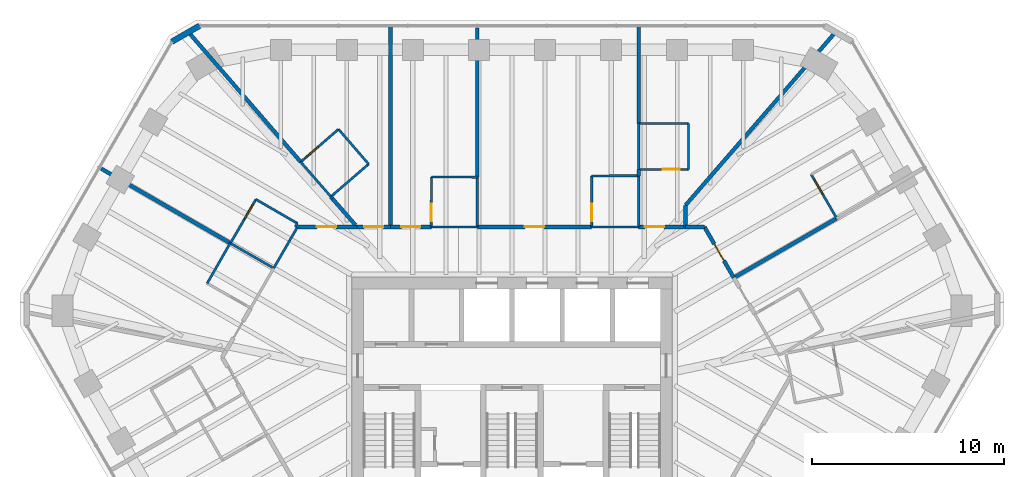
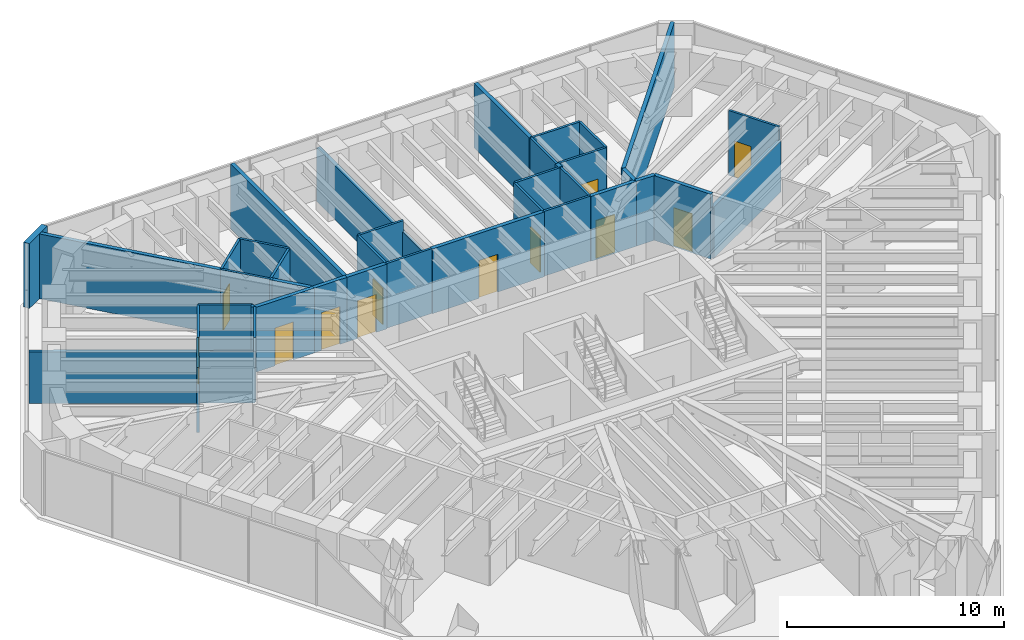
# One storey, part 12 of 14: 42 walls, 12 doors, 12 openings.
"""IFC4 building model written with IfcOpenShell, lengths in metres."""

from ifc_helpers import new_model, si_unit, direction, frame, frame_2d, origin, place, context, subcontext, project, spatial, rectangle, extrude, material, layer, layer_set, type_object, element, fill, save


model = new_model("IFC4")

# Units and contexts
model_context = context("Model", 3, precision=1e-05, world=origin(), true_north=direction((0.0, 1.0)))
body_context = subcontext(model_context, "Body", "Model", "MODEL_VIEW")
ifc_project = project(units=[si_unit("LENGTHUNIT", "METRE"), si_unit("AREAUNIT", "SQUARE_METRE"), si_unit("VOLUMEUNIT", "CUBIC_METRE"), si_unit("PLANEANGLEUNIT", "RADIAN"), si_unit("MASSUNIT", "GRAM", prefix="KILO")], contexts=[model_context])

# Site, building, storey
site_placement = place(None, origin())
site = spatial("IfcSite", under=ifc_project, at=site_placement, CompositionType="ELEMENT")
building_placement = place(site_placement, origin())
building = spatial("IfcBuilding", under=site, at=building_placement, Name="Sandreach Pilgrim Tower", CompositionType="ELEMENT")
storey_placement = place(building_placement, frame((0.0, 0.0, 264.60009765625)))
storey = spatial("IfcBuildingStorey", under=building, at=storey_placement, Name="L66", CompositionType="ELEMENT", Elevation=264.60009765625)

# Walls
ifc_material_1 = material(Name="Moisture-resistant gypsum board on steel studs", Category="steel")
ifc_layer_1 = layer(ifc_material_1, 0.1201171875)
ifc_layer_set_1 = layer_set([ifc_layer_1], Name="Bathroom partition 120")
wall_type_1 = type_object("IfcWallType", Name="Bathroom partition 120", PredefinedType="PARTITIONING", material=ifc_layer_set_1)
wall_1_placement = place(storey_placement, frame((-14.699951171875, 8.489990234375, 0.0), z_axis=(0.0, 0.0, 1.0), x_axis=(-0.496106327528, -0.868261776072, 0.0)))
element("IfcWall", 1, at=wall_1_placement, inside=storey, type_object=wall_type_1, Name="Bathroom partition L66-018", PredefinedType="PARTITIONING", context=body_context, shape_type="SweptSolid", body=[
    extrude(rectangle(XDim=2.418701171875, YDim=0.1201171875, at=frame_2d((1.20947265625, 0.0))), origin(), (0.0, 0.0, 1.0), 3.639892578125),
])
wall_2_placement = place(storey_placement, frame((-14.68994140625, 8.47998046875, 0.0), z_axis=(0.0, 0.0, 1.0), x_axis=(0.866816256489, -0.498627694264, 0.0)))
element("IfcWall", 2, at=wall_2_placement, inside=storey, type_object=wall_type_1, Name="Bathroom partition L66-019", PredefinedType="PARTITIONING", context=body_context, shape_type="SweptSolid", body=[
    extrude(rectangle(XDim=2.607177734375, YDim=0.1201171875, at=frame_2d((1.3037109375, 0.0))), origin(), (0.0, 0.0, 1.0), 2.8779296875),
])

# Wall, opening, door
wall_3_placement = place(storey_placement, frame((-13.360107421875, 10.77001953125, 0.0), z_axis=(0.0, 0.0, 1.0), x_axis=(-0.502173326652, -0.864766991738, 0.0)))
wall_3 = element("IfcWall", 3, at=wall_3_placement, inside=storey, type_object=wall_type_1, Name="Bathroom partition L66-022", PredefinedType="PARTITIONING", context=body_context, shape_type="SweptSolid", body=[
    extrude(rectangle(XDim=2.648193359375, YDim=0.1201171875, at=frame_2d((1.32421875, 0.0))), origin(), (0.0, 0.0, 1.0), 3.639892578125),
])
opening_1_placement = place(wall_3_placement, frame((0.300048828125, 0.0, 0.0)))
opening_1 = element("IfcOpeningElement", 4, at=opening_1_placement, cuts=wall_3, Name="Opening D09-17B", PredefinedType="OPENING", context=body_context, shape_type="SweptSolid", body=[
    extrude(rectangle(XDim=0.89990234375, YDim=2.030029296875, at=frame_2d((0.449951171875, 1.01513671875))), frame((0.0, 0.06005859375, 0.0), z_axis=(0.0, -1.0, 0.0), x_axis=(1.0, 0.0, 0.0)), (0.0, 0.0, 1.0), 0.1201171875),
])
ifc_material_2 = material(Name="Timber door, steel frame", Category="steel")
door_type_1 = type_object("IfcDoorType", Name="Bathroom door", OperationType="SINGLE_SWING_LEFT", PredefinedType="DOOR", material=ifc_material_2)
door_1_placement = place(opening_1_placement, origin())
door_1 = element("IfcDoor", 5, at=door_1_placement, inside=storey, type_object=door_type_1, Name="Door 6617B", OperationType="SINGLE_SWING_LEFT", OverallHeight=2.030029296875, OverallWidth=0.89990234375, PredefinedType="DOOR", context=body_context, shape_type="SweptSolid", body=[
    extrude(rectangle(XDim=0.89990234375, YDim=2.030029296875, at=frame_2d((0.449951171875, 1.01513671875))), frame((0.0, 0.02490234375, 0.0), z_axis=(0.0, -1.0, 0.0), x_axis=(1.0, 0.0, 0.0)), (0.0, 0.0, 1.0), 0.050048828125),
])
fill(opening_1, door_1)

# Walls
wall_4_placement = place(storey_placement, frame((-12.429931640625, 7.179931640625, 0.0), z_axis=(0.0, 0.0, 1.0), x_axis=(0.499577688184, 0.866269088372, 0.0)))
element("IfcWall", 6, at=wall_4_placement, inside=storey, type_object=wall_type_1, Name="Bathroom partition L66-024", PredefinedType="PARTITIONING", context=body_context, shape_type="SweptSolid", body=[
    extrude(rectangle(XDim=2.482177734375, YDim=0.1201171875, at=frame_2d((1.2412109375, 0.0))), origin(), (0.0, 0.0, 1.0), 3.639892578125),
])
wall_5_placement = place(storey_placement, frame((-11.31005859375, 9.330078125, 0.0), z_axis=(0.0, 0.0, 1.0), x_axis=(0.501518373175, 0.865146994081, 0.0)))
element("IfcWall", 7, at=wall_5_placement, inside=storey, type_object=wall_type_1, Name="Bathroom partition L66-027", PredefinedType="PARTITIONING", context=body_context, shape_type="SweptSolid", body=[
    extrude(rectangle(XDim=0.219482421875, YDim=0.1201171875, at=frame_2d((0.10986328125, 0.0))), origin(), (0.0, 0.0, 1.0), 3.639892578125),
])
wall_6_placement = place(storey_placement, frame((-11.199951171875, 9.52001953125, 0.0), z_axis=(0.0, 0.0, 1.0), x_axis=(-0.865533423938, 0.500851167559, 0.0)))
element("IfcWall", 8, at=wall_6_placement, inside=storey, type_object=wall_type_1, Name="Bathroom partition L66-028", PredefinedType="PARTITIONING", context=body_context, shape_type="SweptSolid", body=[
    extrude(rectangle(XDim=2.495849609375, YDim=0.1201171875, at=frame_2d((1.248046875, 0.0))), origin(), (0.0, 0.0, 1.0), 3.639892578125),
])
wall_7_placement = place(storey_placement, frame((-11.02001953125, 12.719970703125, 0.0), z_axis=(0.0, 0.0, 1.0), x_axis=(0.655252439976, -0.755409981338, 0.0)))
element("IfcWall", 9, at=wall_7_placement, inside=storey, type_object=wall_type_1, Name="Bathroom partition L66-029", PredefinedType="PARTITIONING", context=body_context, shape_type="SweptSolid", body=[
    extrude(rectangle(XDim=2.396240234375, YDim=0.1201171875, at=frame_2d((1.1982421875, 0.0))), origin(), (0.0, 0.0, 1.0), 3.639892578125),
])
wall_8_placement = place(storey_placement, frame((-9.449951171875, 10.909912109375, 0.0), z_axis=(0.0, 0.0, 1.0), x_axis=(0.757040252764, 0.65336823897, 0.0)))
element("IfcWall", 10, at=wall_8_placement, inside=storey, type_object=wall_type_1, Name="Bathroom partition L66-032", PredefinedType="PARTITIONING", context=body_context, shape_type="SweptSolid", body=[
    extrude(rectangle(XDim=2.602294921875, YDim=0.1201171875, at=frame_2d((1.30126953125, 0.0))), origin(), (0.0, 0.0, 1.0), 3.639892578125),
])

# Wall, opening, door
wall_9_placement = place(storey_placement, frame((-9.050048828125, 14.429931640625, 0.0), z_axis=(0.0, 0.0, 1.0), x_axis=(-0.755185511235, -0.655511131576, 0.0)))
wall_9 = element("IfcWall", 11, at=wall_9_placement, inside=storey, type_object=wall_type_1, Name="Bathroom partition L66-035", PredefinedType="PARTITIONING", context=body_context, shape_type="SweptSolid", body=[
    extrude(rectangle(XDim=2.608642578125, YDim=0.1201171875, at=frame_2d((1.30419921875, 0.0))), origin(), (0.0, 0.0, 1.0), 3.639892578125),
])
opening_2_placement = place(wall_9_placement, frame((1.40869140625, 0.0, 0.0)))
opening_2 = element("IfcOpeningElement", 12, at=opening_2_placement, cuts=wall_9, Name="Opening D09-01B", PredefinedType="OPENING", context=body_context, shape_type="SweptSolid", body=[
    extrude(rectangle(XDim=0.89990234375, YDim=2.030029296875, at=frame_2d((0.449951171875, 1.01513671875))), frame((0.0, 0.06005859375, 0.0), z_axis=(0.0, -1.0, 0.0), x_axis=(1.0, 0.0, 0.0)), (0.0, 0.0, 1.0), 0.1201171875),
])
door_2_placement = place(opening_2_placement, origin())
door_2 = element("IfcDoor", 13, at=door_2_placement, inside=storey, type_object=door_type_1, Name="Door 6601B", OperationType="SINGLE_SWING_RIGHT", OverallHeight=2.030029296875, OverallWidth=0.89990234375, PredefinedType="DOOR", context=body_context, shape_type="SweptSolid", body=[
    extrude(rectangle(XDim=0.89990234375, YDim=2.030029296875, at=frame_2d((0.449951171875, 1.01513671875))), frame((0.0, 0.02490234375, 0.0), z_axis=(0.0, -1.0, 0.0), x_axis=(1.0, 0.0, 0.0)), (0.0, 0.0, 1.0), 0.050048828125),
])
fill(opening_2, door_2)

# Walls
wall_10_placement = place(storey_placement, frame((-7.47998046875, 12.610107421875, 0.0), z_axis=(0.0, 0.0, 1.0), x_axis=(-0.653238965593, 0.75715180369, 0.0)))
element("IfcWall", 14, at=wall_10_placement, inside=storey, type_object=wall_type_1, Name="Bathroom partition L66-039", PredefinedType="PARTITIONING", context=body_context, shape_type="SweptSolid", body=[
    extrude(rectangle(XDim=2.403564453125, YDim=0.1201171875, at=frame_2d((1.20166015625, 0.0))), origin(), (0.0, 0.0, 1.0), 3.639892578125),
])
wall_11_placement = place(storey_placement, frame((-4.2099609375, 9.330078125, 0.0), z_axis=(0.0, 0.0, 1.0), x_axis=(1.0, 0.0, 0.0)))
element("IfcWall", 15, at=wall_11_placement, inside=storey, type_object=wall_type_1, Name="Bathroom partition L66-046", PredefinedType="PARTITIONING", context=body_context, shape_type="SweptSolid", body=[
    extrude(rectangle(XDim=2.39990234375, YDim=0.1201171875, at=frame_2d((1.199951171875, 0.0))), origin(), (0.0, 0.0, 1.0), 3.639892578125),
])

# Wall, opening, door
wall_12_placement = place(storey_placement, frame((-4.199951171875, 11.93994140625, 0.0), z_axis=(0.0, 0.0, 1.0), x_axis=(-0.003835331941, -0.999992645087, 0.0)))
wall_12 = element("IfcWall", 16, at=wall_12_placement, inside=storey, type_object=wall_type_1, Name="Bathroom partition L66-047", PredefinedType="PARTITIONING", context=body_context, shape_type="SweptSolid", body=[
    extrude(rectangle(XDim=2.60986328125, YDim=0.1201171875, at=frame_2d((1.304931640625, 0.0))), origin(), (0.0, 0.0, 1.0), 3.639892578125),
])
opening_3_placement = place(wall_12_placement, frame((1.409912109375, 0.0, 0.0)))
opening_3 = element("IfcOpeningElement", 17, at=opening_3_placement, cuts=wall_12, Name="Opening D09-02B", PredefinedType="OPENING", context=body_context, shape_type="SweptSolid", body=[
    extrude(rectangle(XDim=0.89990234375, YDim=2.030029296875, at=frame_2d((0.449951171875, 1.01513671875))), frame((0.0, 0.06005859375, 0.0), z_axis=(0.0, -1.0, 0.0), x_axis=(1.0, 0.0, 0.0)), (0.0, 0.0, 1.0), 0.1201171875),
])
door_3_placement = place(opening_3_placement, origin())
door_3 = element("IfcDoor", 18, at=door_3_placement, inside=storey, type_object=door_type_1, Name="Door 6602B", OperationType="SINGLE_SWING_RIGHT", OverallHeight=2.030029296875, OverallWidth=0.89990234375, PredefinedType="DOOR", context=body_context, shape_type="SweptSolid", body=[
    extrude(rectangle(XDim=0.89990234375, YDim=2.030029296875, at=frame_2d((0.449951171875, 1.01513671875))), frame((0.0, 0.02490234375, 0.0), z_axis=(0.0, -1.0, 0.0), x_axis=(1.0, 0.0, 0.0)), (0.0, 0.0, 1.0), 0.050048828125),
])
fill(opening_3, door_3)

# Walls
wall_13_placement = place(storey_placement, frame((-1.81005859375, 11.929931640625, 0.0), z_axis=(0.0, 0.0, 1.0), x_axis=(-0.999991228874, 0.00418833797, 0.0)))
element("IfcWall", 19, at=wall_13_placement, inside=storey, type_object=wall_type_1, Name="Bathroom partition L66-059", PredefinedType="PARTITIONING", context=body_context, shape_type="SweptSolid", body=[
    extrude(rectangle(XDim=2.389892578125, YDim=0.1201171875, at=frame_2d((1.19482421875, 0.0))), origin(), (0.0, 0.0, 1.0), 3.639892578125),
])
wall_14_placement = place(storey_placement, frame((-1.81005859375, 11.929931640625, 0.0), z_axis=(0.0, 0.0, 1.0), x_axis=(0.0, -1.0, 0.0)))
element("IfcWall", 20, at=wall_14_placement, inside=storey, type_object=wall_type_1, Name="Bathroom partition L66-060", PredefinedType="PARTITIONING", context=body_context, shape_type="SweptSolid", body=[
    extrude(rectangle(XDim=2.599853515625, YDim=0.1201171875, at=frame_2d((1.2998046875, 0.0))), origin(), (0.0, 0.0, 1.0), 3.022705078125),
])

# Wall, opening, door
wall_15_placement = place(storey_placement, frame((4.159912109375, 11.989990234375, 0.0), z_axis=(0.0, 0.0, 1.0), x_axis=(0.0, -1.0, 0.0)))
wall_15 = element("IfcWall", 21, at=wall_15_placement, inside=storey, type_object=wall_type_1, Name="Bathroom partition L66-076", PredefinedType="PARTITIONING", context=body_context, shape_type="SweptSolid", body=[
    extrude(rectangle(XDim=2.659912109375, YDim=0.1201171875, at=frame_2d((1.330078125, 0.0))), origin(), (0.0, 0.0, 1.0), 3.639892578125),
])
opening_4_placement = place(wall_15_placement, frame((1.4599609375, 0.0, 0.0)))
opening_4 = element("IfcOpeningElement", 22, at=opening_4_placement, cuts=wall_15, Name="Opening D09-03B", PredefinedType="OPENING", context=body_context, shape_type="SweptSolid", body=[
    extrude(rectangle(XDim=0.89990234375, YDim=2.030029296875, at=frame_2d((0.449951171875, 1.01513671875))), frame((0.0, 0.06005859375, 0.0), z_axis=(0.0, -1.0, 0.0), x_axis=(1.0, 0.0, 0.0)), (0.0, 0.0, 1.0), 0.1201171875),
])
door_4_placement = place(opening_4_placement, origin())
door_4 = element("IfcDoor", 23, at=door_4_placement, inside=storey, type_object=door_type_1, Name="Door 6603B", OperationType="SINGLE_SWING_RIGHT", OverallHeight=2.030029296875, OverallWidth=0.89990234375, PredefinedType="DOOR", context=body_context, shape_type="SweptSolid", body=[
    extrude(rectangle(XDim=0.89990234375, YDim=2.030029296875, at=frame_2d((0.449951171875, 1.01513671875))), frame((0.0, 0.02490234375, 0.0), z_axis=(0.0, -1.0, 0.0), x_axis=(1.0, 0.0, 0.0)), (0.0, 0.0, 1.0), 0.050048828125),
])
fill(opening_4, door_4)

# Walls
for number, where, z_axis, x_axis, name in (
    (24, (6.610107421875, 9.330078125, 0.0), (0.0, 0.0, 1.0), (-1.0, 0.0, 0.0), "Bathroom partition L66-083"),
    (25, (6.610107421875, 12.0, 0.0), (0.0, 0.0, 1.0), (-0.999991655295, -0.004085258855, 0.0), "Bathroom partition L66-085"),
):
    element("IfcWall", number, at=place(storey_placement, frame(where, z_axis=z_axis, x_axis=x_axis)), inside=storey, type_object=wall_type_1, Name=name, PredefinedType="PARTITIONING", context=body_context, shape_type="SweptSolid", body=[
        extrude(rectangle(XDim=2.4501953125, YDim=0.1201171875, at=frame_2d((1.22509765625, 0.0))), origin(), (0.0, 0.0, 1.0), 3.639892578125),
    ])
wall_16_placement = place(storey_placement, frame((6.610107421875, 12.0, 0.0), z_axis=(0.0, 0.0, 1.0), x_axis=(0.0, -1.0, 0.0)))
element("IfcWall", 26, at=wall_16_placement, inside=storey, type_object=wall_type_1, Name="Bathroom partition L66-086", PredefinedType="PARTITIONING", context=body_context, shape_type="SweptSolid", body=[
    extrude(rectangle(XDim=2.669921875, YDim=0.1201171875, at=frame_2d((1.3349609375, 0.0))), origin(), (0.0, 0.0, 1.0), 3.639892578125),
])

# Wall, opening, door
wall_17_placement = place(storey_placement, frame((6.610107421875, 12.330078125, 0.0), z_axis=(0.0, 0.0, 1.0), x_axis=(1.0, 0.0, 0.0)))
wall_17 = element("IfcWall", 27, at=wall_17_placement, inside=storey, type_object=wall_type_1, Name="Bathroom partition L66-088", PredefinedType="PARTITIONING", context=body_context, shape_type="SweptSolid", body=[
    extrude(rectangle(XDim=2.599853515625, YDim=0.1201171875, at=frame_2d((1.2998046875, 0.0))), origin(), (0.0, 0.0, 1.0), 3.639892578125),
])
opening_5_placement = place(wall_17_placement, frame((1.25, 0.0, 0.0)))
opening_5 = element("IfcOpeningElement", 28, at=opening_5_placement, cuts=wall_17, Name="Opening D09-04B", PredefinedType="OPENING", context=body_context, shape_type="SweptSolid", body=[
    extrude(rectangle(XDim=0.89990234375, YDim=2.030029296875, at=frame_2d((0.449951171875, 1.01513671875))), frame((0.0, 0.06005859375, 0.0), z_axis=(0.0, -1.0, 0.0), x_axis=(1.0, 0.0, 0.0)), (0.0, 0.0, 1.0), 0.1201171875),
])
door_5_placement = place(opening_5_placement, origin())
door_5 = element("IfcDoor", 29, at=door_5_placement, inside=storey, type_object=door_type_1, Name="Door 6604B", OperationType="SINGLE_SWING_RIGHT", OverallHeight=2.030029296875, OverallWidth=0.89990234375, PredefinedType="DOOR", context=body_context, shape_type="SweptSolid", body=[
    extrude(rectangle(XDim=0.89990234375, YDim=2.030029296875, at=frame_2d((0.449951171875, 1.01513671875))), frame((0.0, 0.02490234375, 0.0), z_axis=(0.0, -1.0, 0.0), x_axis=(1.0, 0.0, 0.0)), (0.0, 0.0, 1.0), 0.050048828125),
])
fill(opening_5, door_5)

# Walls
for number, where, z_axis, x_axis, name in (
    (30, (6.610107421875, 14.72998046875, 0.0), (0.0, 0.0, 1.0), (0.0, -1.0, 0.0), "Bathroom partition L66-089"),
    (31, (9.2099609375, 12.330078125, 0.0), (0.0, 0.0, 1.0), (0.0, 1.0, 0.0), "Bathroom partition L66-100"),
):
    element("IfcWall", number, at=place(storey_placement, frame(where, z_axis=z_axis, x_axis=x_axis)), inside=storey, type_object=wall_type_1, Name=name, PredefinedType="PARTITIONING", context=body_context, shape_type="SweptSolid", body=[
        extrude(rectangle(XDim=2.39990234375, YDim=0.1201171875, at=frame_2d((1.199951171875, 0.0))), origin(), (0.0, 0.0, 1.0), 3.639892578125),
    ])
wall_18_placement = place(storey_placement, frame((9.2099609375, 14.72998046875, 0.0), z_axis=(0.0, 0.0, 1.0), x_axis=(-1.0, 0.0, 0.0)))
element("IfcWall", 32, at=wall_18_placement, inside=storey, type_object=wall_type_1, Name="Bathroom partition L66-101", PredefinedType="PARTITIONING", context=body_context, shape_type="SweptSolid", body=[
    extrude(rectangle(XDim=2.599853515625, YDim=0.1201171875, at=frame_2d((1.2998046875, 0.0))), origin(), (0.0, 0.0, 1.0), 3.639892578125),
])

# Wall, opening, door
wall_19_placement = place(storey_placement, frame((15.610107421875, 12.070068359375, 0.0), z_axis=(0.0, 0.0, 1.0), x_axis=(0.502173326652, -0.864766991738, 0.0)))
wall_19 = element("IfcWall", 33, at=wall_19_placement, inside=storey, type_object=wall_type_1, Name="Bathroom partition L66-116", PredefinedType="PARTITIONING", context=body_context, shape_type="SweptSolid", body=[
    extrude(rectangle(XDim=2.648193359375, YDim=0.1201171875, at=frame_2d((1.32421875, 0.0))), origin(), (0.0, 0.0, 1.0), 3.639892578125),
])
opening_6_placement = place(wall_19_placement, frame((0.300048828125, 0.0, 0.0)))
opening_6 = element("IfcOpeningElement", 34, at=opening_6_placement, cuts=wall_19, Name="Opening D09-05B", PredefinedType="OPENING", context=body_context, shape_type="SweptSolid", body=[
    extrude(rectangle(XDim=0.89990234375, YDim=2.030029296875, at=frame_2d((0.449951171875, 1.01513671875))), frame((0.0, 0.06005859375, 0.0), z_axis=(0.0, -1.0, 0.0), x_axis=(1.0, 0.0, 0.0)), (0.0, 0.0, 1.0), 0.1201171875),
])
door_6_placement = place(opening_6_placement, origin())
door_6 = element("IfcDoor", 35, at=door_6_placement, inside=storey, type_object=door_type_1, Name="Door 6605B", OperationType="SINGLE_SWING_LEFT", OverallHeight=2.030029296875, OverallWidth=0.89990234375, PredefinedType="DOOR", context=body_context, shape_type="SweptSolid", body=[
    extrude(rectangle(XDim=0.89990234375, YDim=2.030029296875, at=frame_2d((0.449951171875, 1.01513671875))), frame((0.0, 0.02490234375, 0.0), z_axis=(0.0, -1.0, 0.0), x_axis=(1.0, 0.0, 0.0)), (0.0, 0.0, 1.0), 0.050048828125),
])
fill(opening_6, door_6)

ifc_material_3 = material(Name="Gypsum board on steel studs, two layers each side", Category="steel")
ifc_layer_2 = layer(ifc_material_3, 0.199951171875)
ifc_layer_set_2 = layer_set([ifc_layer_2], Name="Corridor wall 200")
wall_type_2 = type_object("IfcWallType", Name="Corridor wall 200", PredefinedType="PARTITIONING", material=ifc_layer_set_2)
wall_20_placement = place(storey_placement, frame((-8.080078125, 9.330078125, 0.0), z_axis=(0.0, 0.0, 1.0), x_axis=(-1.0, 0.0, 0.0)))
wall_20 = element("IfcWall", 36, at=wall_20_placement, inside=storey, type_object=wall_type_2, Name="Corridor wall L66-038", PredefinedType="PARTITIONING", context=body_context, shape_type="SweptSolid", body=[
    extrude(rectangle(XDim=3.10986328125, YDim=0.199951171875, at=frame_2d((1.554931640625, 0.0))), origin(), (0.0, 0.0, 1.0), 3.639892578125),
])
opening_7_placement = place(wall_20_placement, frame((1.10009765625, 0.0, 0.0)))
opening_7 = element("IfcOpeningElement", 37, at=opening_7_placement, cuts=wall_20, Name="Opening D10-17", PredefinedType="OPENING", context=body_context, shape_type="SweptSolid", body=[
    extrude(rectangle(XDim=1.0, YDim=2.1298828125, at=frame_2d((0.5, 1.06494140625))), frame((0.0, 0.10009765625, 0.0), z_axis=(0.0, -1.0, 0.0), x_axis=(1.0, 0.0, 0.0)), (0.0, 0.0, 1.0), 0.199951171875),
])
ifc_material_4 = material(Name="Steel door and frame", Category="steel")
door_type_2 = type_object("IfcDoorType", Name="Guest room entry door", OperationType="SINGLE_SWING_LEFT", PredefinedType="DOOR", material=ifc_material_4)
door_7_placement = place(opening_7_placement, origin())
door_7 = element("IfcDoor", 38, at=door_7_placement, inside=storey, type_object=door_type_2, Name="Door 6617", OperationType="SINGLE_SWING_RIGHT", OverallHeight=2.1298828125, OverallWidth=1.0, PredefinedType="DOOR", context=body_context, shape_type="SweptSolid", body=[
    extrude(rectangle(XDim=1.0, YDim=2.1298828125, at=frame_2d((0.5, 1.06494140625))), frame((0.0, 0.02490234375, 0.0), z_axis=(0.0, -1.0, 0.0), x_axis=(1.0, 0.0, 0.0)), (0.0, 0.0, 1.0), 0.050048828125),
])
fill(opening_7, door_7)

wall_21_placement = place(storey_placement, frame((-6.340087890625, 9.330078125, 0.0), z_axis=(0.0, 0.0, 1.0), x_axis=(-1.0, 0.0, 0.0)))
wall_21 = element("IfcWall", 39, at=wall_21_placement, inside=storey, type_object=wall_type_2, Name="Corridor wall L66-040", PredefinedType="PARTITIONING", context=body_context, shape_type="SweptSolid", body=[
    extrude(rectangle(XDim=1.739990234375, YDim=0.199951171875, at=frame_2d((0.8701171875, 0.0))), origin(), (0.0, 0.0, 1.0), 3.639892578125),
])
opening_8_placement = place(wall_21_placement, frame((0.3701171875, 0.0, 0.0)))
opening_8 = element("IfcOpeningElement", 40, at=opening_8_placement, cuts=wall_21, Name="Opening D10-01", PredefinedType="OPENING", context=body_context, shape_type="SweptSolid", body=[
    extrude(rectangle(XDim=1.0, YDim=2.1298828125, at=frame_2d((0.5, 1.06494140625))), frame((0.0, 0.10009765625, 0.0), z_axis=(0.0, -1.0, 0.0), x_axis=(1.0, 0.0, 0.0)), (0.0, 0.0, 1.0), 0.199951171875),
])
door_8_placement = place(opening_8_placement, origin())
door_8 = element("IfcDoor", 41, at=door_8_placement, inside=storey, type_object=door_type_2, Name="Door 6601", OperationType="SINGLE_SWING_LEFT", OverallHeight=2.1298828125, OverallWidth=1.0, PredefinedType="DOOR", context=body_context, shape_type="SweptSolid", body=[
    extrude(rectangle(XDim=1.0, YDim=2.1298828125, at=frame_2d((0.5, 1.06494140625))), frame((0.0, 0.02490234375, 0.0), z_axis=(0.0, -1.0, 0.0), x_axis=(1.0, 0.0, 0.0)), (0.0, 0.0, 1.0), 0.050048828125),
])
fill(opening_8, door_8)

wall_22_placement = place(storey_placement, frame((-4.2099609375, 9.330078125, 0.0), z_axis=(0.0, 0.0, 1.0), x_axis=(-1.0, 0.0, 0.0)))
wall_22 = element("IfcWall", 42, at=wall_22_placement, inside=storey, type_object=wall_type_2, Name="Corridor wall L66-045", PredefinedType="PARTITIONING", context=body_context, shape_type="SweptSolid", body=[
    extrude(rectangle(XDim=2.130126953125, YDim=0.199951171875, at=frame_2d((1.06494140625, 0.0))), origin(), (0.0, 0.0, 1.0), 3.639892578125),
])
opening_9_placement = place(wall_22_placement, frame((0.56494140625, 0.0, 0.0)))
opening_9 = element("IfcOpeningElement", 43, at=opening_9_placement, cuts=wall_22, Name="Opening D10-02", PredefinedType="OPENING", context=body_context, shape_type="SweptSolid", body=[
    extrude(rectangle(XDim=1.0, YDim=2.1298828125, at=frame_2d((0.5, 1.06494140625))), frame((0.0, 0.10009765625, 0.0), z_axis=(0.0, -1.0, 0.0), x_axis=(1.0, 0.0, 0.0)), (0.0, 0.0, 1.0), 0.199951171875),
])
door_9_placement = place(opening_9_placement, origin())
door_9 = element("IfcDoor", 44, at=door_9_placement, inside=storey, type_object=door_type_2, Name="Door 6602", OperationType="SINGLE_SWING_LEFT", OverallHeight=2.1298828125, OverallWidth=1.0, PredefinedType="DOOR", context=body_context, shape_type="SweptSolid", body=[
    extrude(rectangle(XDim=1.0, YDim=2.1298828125, at=frame_2d((0.5, 1.06494140625))), frame((0.0, 0.02490234375, 0.0), z_axis=(0.0, -1.0, 0.0), x_axis=(1.0, 0.0, 0.0)), (0.0, 0.0, 1.0), 0.050048828125),
])
fill(opening_9, door_9)

wall_23_placement = place(storey_placement, frame((4.159912109375, 9.330078125, 0.0), z_axis=(0.0, 0.0, 1.0), x_axis=(-1.0, 0.0, 0.0)))
wall_23 = element("IfcWall", 45, at=wall_23_placement, inside=storey, type_object=wall_type_2, Name="Corridor wall L66-075", PredefinedType="PARTITIONING", context=body_context, shape_type="SweptSolid", body=[
    extrude(rectangle(XDim=5.969970703125, YDim=0.199951171875, at=frame_2d((2.98486328125, 0.0))), origin(), (0.0, 0.0, 1.0), 3.639892578125),
])
opening_10_placement = place(wall_23_placement, frame((2.485107421875, 0.0, 0.0)))
opening_10 = element("IfcOpeningElement", 46, at=opening_10_placement, cuts=wall_23, Name="Opening D10-03", PredefinedType="OPENING", context=body_context, shape_type="SweptSolid", body=[
    extrude(rectangle(XDim=1.0, YDim=2.1298828125, at=frame_2d((0.5, 1.06494140625))), frame((0.0, 0.10009765625, 0.0), z_axis=(0.0, -1.0, 0.0), x_axis=(1.0, 0.0, 0.0)), (0.0, 0.0, 1.0), 0.199951171875),
])
door_10_placement = place(opening_10_placement, origin())
door_10 = element("IfcDoor", 47, at=door_10_placement, inside=storey, type_object=door_type_2, Name="Door 6603", OperationType="SINGLE_SWING_LEFT", OverallHeight=2.1298828125, OverallWidth=1.0, PredefinedType="DOOR", context=body_context, shape_type="SweptSolid", body=[
    extrude(rectangle(XDim=1.0, YDim=2.1298828125, at=frame_2d((0.5, 1.06494140625))), frame((0.0, 0.02490234375, 0.0), z_axis=(0.0, -1.0, 0.0), x_axis=(1.0, 0.0, 0.0)), (0.0, 0.0, 1.0), 0.050048828125),
])
fill(opening_10, door_10)

wall_24_placement = place(storey_placement, frame((6.610107421875, 9.330078125, 0.0), z_axis=(0.0, 0.0, 1.0), x_axis=(1.0, 0.0, 0.0)))
wall_24 = element("IfcWall", 48, at=wall_24_placement, inside=storey, type_object=wall_type_2, Name="Corridor wall L66-084", PredefinedType="PARTITIONING", context=body_context, shape_type="SweptSolid", body=[
    extrude(rectangle(XDim=2.43994140625, YDim=0.199951171875, at=frame_2d((1.219970703125, 0.0))), origin(), (0.0, 0.0, 1.0), 3.639892578125),
])
opening_11_placement = place(wall_24_placement, frame((0.320068359375, 0.0, 0.0)))
opening_11 = element("IfcOpeningElement", 49, at=opening_11_placement, cuts=wall_24, Name="Opening D10-04", PredefinedType="OPENING", context=body_context, shape_type="SweptSolid", body=[
    extrude(rectangle(XDim=1.0, YDim=2.1298828125, at=frame_2d((0.5, 1.06494140625))), frame((0.0, 0.10009765625, 0.0), z_axis=(0.0, -1.0, 0.0), x_axis=(1.0, 0.0, 0.0)), (0.0, 0.0, 1.0), 0.199951171875),
])
door_11_placement = place(opening_11_placement, origin())
door_11 = element("IfcDoor", 50, at=door_11_placement, inside=storey, type_object=door_type_2, Name="Door 6604", OperationType="SINGLE_SWING_LEFT", OverallHeight=2.1298828125, OverallWidth=1.0, PredefinedType="DOOR", context=body_context, shape_type="SweptSolid", body=[
    extrude(rectangle(XDim=1.0, YDim=2.1298828125, at=frame_2d((0.5, 1.06494140625))), frame((0.0, 0.02490234375, 0.0), z_axis=(0.0, -1.0, 0.0), x_axis=(1.0, 0.0, 0.0)), (0.0, 0.0, 1.0), 0.050048828125),
])
fill(opening_11, door_11)

# Wall
wall_25_placement = place(storey_placement, frame((10.0400390625, 9.330078125, 0.0), z_axis=(0.0, 0.0, 1.0), x_axis=(-1.0, 0.0, 0.0)))
element("IfcWall", 51, at=wall_25_placement, inside=storey, type_object=wall_type_2, Name="Corridor wall L66-104", PredefinedType="PARTITIONING", context=body_context, shape_type="SweptSolid", body=[
    extrude(rectangle(XDim=0.989990234375, YDim=0.199951171875, at=frame_2d((0.4951171875, 0.0))), origin(), (0.0, 0.0, 1.0), 3.639892578125),
])

# Wall, opening, door
wall_26_placement = place(storey_placement, frame((10.0400390625, 9.330078125, 0.0), z_axis=(0.0, 0.0, 1.0), x_axis=(0.50033475521, -0.86583204649, 0.0)))
wall_26 = element("IfcWall", 52, at=wall_26_placement, inside=storey, type_object=wall_type_2, Name="Corridor wall L66-105", PredefinedType="PARTITIONING", context=body_context, shape_type="SweptSolid", body=[
    extrude(rectangle(XDim=3.06005859375, YDim=0.199951171875, at=frame_2d((1.530029296875, 0.0))), origin(), (0.0, 0.0, 1.0), 3.639892578125),
])
opening_12_placement = place(wall_26_placement, frame((1.030029296875, 0.0, 0.0)))
opening_12 = element("IfcOpeningElement", 53, at=opening_12_placement, cuts=wall_26, Name="Opening D10-05", PredefinedType="OPENING", context=body_context, shape_type="SweptSolid", body=[
    extrude(rectangle(XDim=1.0, YDim=2.1298828125, at=frame_2d((0.5, 1.06494140625))), frame((0.0, 0.10009765625, 0.0), z_axis=(0.0, -1.0, 0.0), x_axis=(1.0, 0.0, 0.0)), (0.0, 0.0, 1.0), 0.199951171875),
])
door_12_placement = place(opening_12_placement, origin())
door_12 = element("IfcDoor", 54, at=door_12_placement, inside=storey, type_object=door_type_2, Name="Door 6605", OperationType="SINGLE_SWING_LEFT", OverallHeight=2.1298828125, OverallWidth=1.0, PredefinedType="DOOR", context=body_context, shape_type="SweptSolid", body=[
    extrude(rectangle(XDim=1.0, YDim=2.1298828125, at=frame_2d((0.5, 1.06494140625))), frame((0.0, 0.02490234375, 0.0), z_axis=(0.0, -1.0, 0.0), x_axis=(1.0, 0.0, 0.0)), (0.0, 0.0, 1.0), 0.050048828125),
])
fill(opening_12, door_12)

# Walls
ifc_material_5 = material(Name="Double steel stud acoustic wall, gypsum board", Category="steel")
ifc_layer_3 = layer(ifc_material_5, 0.199951171875)
ifc_layer_set_3 = layer_set([ifc_layer_3], Name="Party wall 200")
wall_type_3 = type_object("IfcWallType", Name="Party wall 200", PredefinedType="PARTITIONING", material=ifc_layer_set_3)
wall_27_placement = place(storey_placement, frame((-21.426025390625, 12.3701171875, 0.0), z_axis=(0.0, 0.0, 1.0), x_axis=(0.866202335538, -0.499693419917, 0.0)))
element("IfcWall", 55, at=wall_27_placement, inside=storey, type_object=wall_type_3, Name="Party wall L66-002", PredefinedType="PARTITIONING", context=body_context, shape_type="SweptSolid", body=[
    extrude(rectangle(XDim=7.76513671875, YDim=0.199951171875, at=frame_2d((3.882568359375, 0.0))), origin(), (0.0, 0.0, 1.0), 2.8779296875),
])
wall_28_placement = place(storey_placement, frame((-16.890380859375, 19.50732421875, 0.0), z_axis=(0.0, 0.0, 1.0), x_axis=(0.65416581431, -0.756351166713, 0.0)))
element("IfcWall", 56, at=wall_28_placement, inside=storey, type_object=wall_type_3, Name="Party wall L66-006", PredefinedType="PARTITIONING", context=body_context, shape_type="SweptSolid", body=[
    extrude(rectangle(XDim=8.973876953125, YDim=0.199951171875, at=frame_2d((4.48681640625, 0.0))), origin(), (0.0, 0.0, 1.0), 3.639892578125),
])
wall_29_placement = place(storey_placement, frame((-9.449951171875, 10.909912109375, 0.0), z_axis=(0.0, 0.0, 1.0), x_axis=(0.625625039906, -0.780123906468, 0.0)))
element("IfcWall", 57, at=wall_29_placement, inside=storey, type_object=wall_type_3, Name="Party wall L66-031", PredefinedType="PARTITIONING", context=body_context, shape_type="SweptSolid", body=[
    extrude(rectangle(XDim=0.1279296875, YDim=0.199951171875, at=frame_2d((0.06396484375, 0.0))), origin(), (0.0, 0.0, 1.0), 3.639892578125),
])
wall_30_placement = place(storey_placement, frame((-9.3701171875, 10.81005859375, 0.0), z_axis=(0.0, 0.0, 1.0), x_axis=(0.657042073586, -0.753853907291, 0.0)))
element("IfcWall", 58, at=wall_30_placement, inside=storey, type_object=wall_type_3, Name="Party wall L66-033", PredefinedType="PARTITIONING", context=body_context, shape_type="SweptSolid", body=[
    extrude(rectangle(XDim=1.833251953125, YDim=0.199951171875, at=frame_2d((0.91650390625, 0.0))), origin(), (0.0, 0.0, 1.0), 3.639892578125),
])
wall_31_placement = place(storey_placement, frame((-6.340087890625, 19.800048828125, 0.0), z_axis=(0.0, 0.0, 1.0), x_axis=(0.0, -1.0, 0.0)))
element("IfcWall", 59, at=wall_31_placement, inside=storey, type_object=wall_type_3, Name="Party wall L66-041", PredefinedType="PARTITIONING", context=body_context, shape_type="SweptSolid", body=[
    extrude(rectangle(XDim=10.455078125, YDim=0.199951171875, at=frame_2d((5.2275390625, 0.0))), origin(), (0.0, 0.0, 1.0), 3.639892578125),
])
wall_32_placement = place(storey_placement, frame((-1.81005859375, 19.7099609375, 0.0), z_axis=(0.0, 0.0, 1.0), x_axis=(0.0, -1.0, 0.0)))
element("IfcWall", 60, at=wall_32_placement, inside=storey, type_object=wall_type_3, Name="Party wall L66-061", PredefinedType="PARTITIONING", context=body_context, shape_type="SweptSolid", body=[
    extrude(rectangle(XDim=7.780029296875, YDim=0.199951171875, at=frame_2d((3.89013671875, 0.0))), origin(), (0.0, 0.0, 1.0), 3.022705078125),
])
wall_33_placement = place(storey_placement, frame((6.610107421875, 12.330078125, 0.0), z_axis=(0.0, 0.0, 1.0), x_axis=(0.0, -1.0, 0.0)))
element("IfcWall", 61, at=wall_33_placement, inside=storey, type_object=wall_type_3, Name="Party wall L66-087", PredefinedType="PARTITIONING", context=body_context, shape_type="SweptSolid", body=[
    extrude(rectangle(XDim=0.330078125, YDim=0.199951171875, at=frame_2d((0.1650390625, 0.0))), origin(), (0.0, 0.0, 1.0), 3.639892578125),
])
wall_34_placement = place(storey_placement, frame((6.610107421875, 19.800048828125, 0.0), z_axis=(0.0, 0.0, 1.0), x_axis=(0.0, -1.0, 0.0)))
element("IfcWall", 62, at=wall_34_placement, inside=storey, type_object=wall_type_3, Name="Party wall L66-090", PredefinedType="PARTITIONING", context=body_context, shape_type="SweptSolid", body=[
    extrude(rectangle(XDim=5.070068359375, YDim=0.199951171875, at=frame_2d((2.53515625, 0.0))), origin(), (0.0, 0.0, 1.0), 3.639892578125),
])
wall_35_placement = place(storey_placement, frame((9.050048828125, 10.4599609375, 0.0), z_axis=(0.0, 0.0, 1.0), x_axis=(0.0, -1.0, 0.0)))
element("IfcWall", 63, at=wall_35_placement, inside=storey, type_object=wall_type_3, Name="Party wall L66-099", PredefinedType="PARTITIONING", context=body_context, shape_type="SweptSolid", body=[
    extrude(rectangle(XDim=1.119873046875, YDim=0.199951171875, at=frame_2d((0.56005859375, 0.0))), origin(), (0.0, 0.0, 1.0), 3.639892578125),
])
wall_36_placement = place(storey_placement, frame((11.5830078125, 6.6875, 0.0), z_axis=(0.0, 0.0, 1.0), x_axis=(0.866046247233, 0.49996389635, 0.0)))
element("IfcWall", 64, at=wall_36_placement, inside=storey, type_object=wall_type_3, Name="Party wall L66-108", PredefinedType="PARTITIONING", context=body_context, shape_type="SweptSolid", body=[
    extrude(rectangle(XDim=6.185546875, YDim=0.199951171875, at=frame_2d((3.0927734375, 0.0))), origin(), (0.0, 0.0, 1.0), 2.8779296875),
])
wall_37_placement = place(storey_placement, frame((16.890380859375, 19.50732421875, 0.0), z_axis=(0.0, 0.0, 1.0), x_axis=(-0.654896377117, -0.755718687899, 0.0)))
element("IfcWall", 65, at=wall_37_placement, inside=storey, type_object=wall_type_3, Name="Party wall L66-120", PredefinedType="PARTITIONING", context=body_context, shape_type="SweptSolid", body=[
    extrude(rectangle(XDim=11.971923828125, YDim=0.199951171875, at=frame_2d((5.98583984375, 0.0))), origin(), (0.0, 0.0, 1.0), 3.639892578125),
])
ifc_material_6 = material(Name="Terracotta rainscreen on concrete", Category="masonry")
ifc_layer_4 = layer(ifc_material_6, 0.300048828125)
ifc_layer_set_4 = layer_set([ifc_layer_4], Name="Terracotta chamfer pier")
wall_type_4 = type_object("IfcWallType", Name="Terracotta chamfer pier", PredefinedType="SOLIDWALL", material=ifc_layer_set_4)
wall_38_placement = place(storey_placement, frame((-17.736083984375, 18.996337890625, 0.0), z_axis=(0.0, 0.0, 1.0), x_axis=(0.866026405774, 0.499998264499, 0.0)))
element("IfcWall", 66, at=wall_38_placement, inside=storey, type_object=wall_type_4, Name="Chamfer pier L66 NW", PredefinedType="SOLIDWALL", context=body_context, shape_type="SweptSolid", body=[
    extrude(rectangle(XDim=1.66015625, YDim=0.300048828125, at=frame_2d((0.830078125, 0.0))), origin(), (0.0, 0.0, 1.0), 3.639892578125),
])

save(model, "model.ifc")
